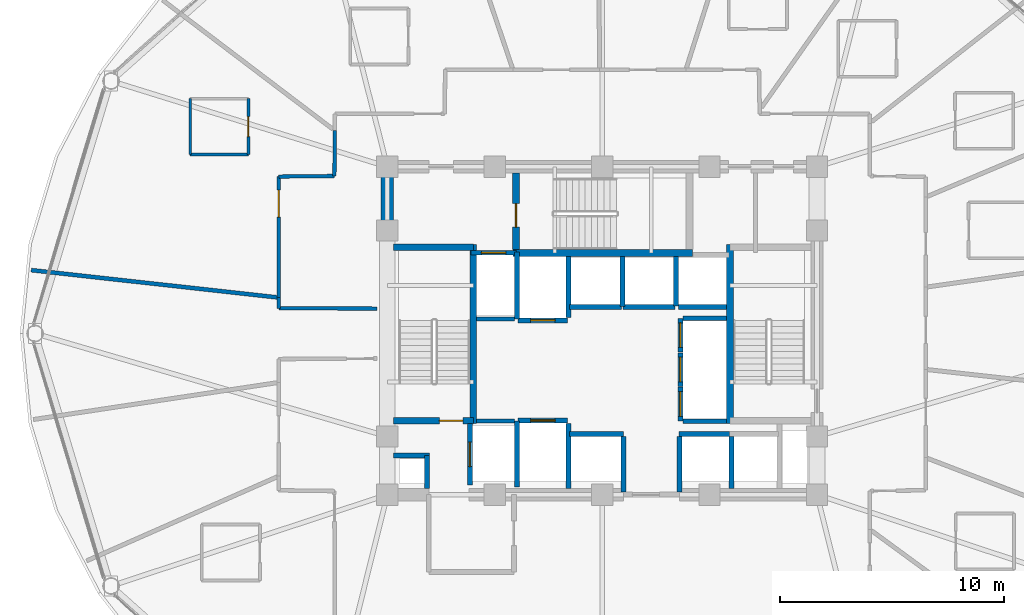
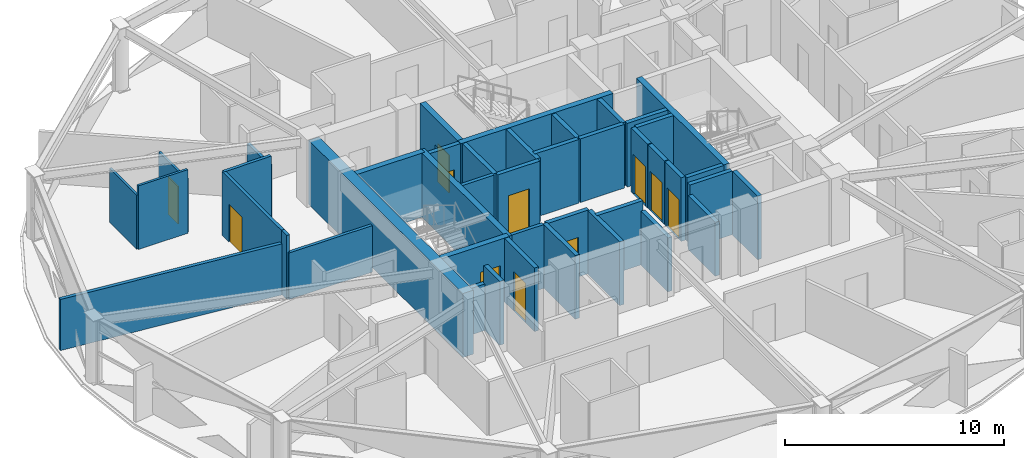
# One storey, part 24 of 31: 43 walls, 11 doors, 11 openings.
"""IFC4 building model written with IfcOpenShell, lengths in metres."""

from ifc_helpers import new_model, si_unit, direction, frame, frame_2d, origin, place, context, subcontext, project, spatial, rectangle, extrude, material, layer, layer_set, type_object, element, fill, save


model = new_model("IFC4")

# Units and contexts
model_context = context("Model", 3, precision=1e-05, world=origin(), true_north=direction((0.0, 1.0)))
body_context = subcontext(model_context, "Body", "Model", "MODEL_VIEW")
ifc_project = project(units=[si_unit("LENGTHUNIT", "METRE"), si_unit("AREAUNIT", "SQUARE_METRE"), si_unit("VOLUMEUNIT", "CUBIC_METRE"), si_unit("PLANEANGLEUNIT", "RADIAN"), si_unit("MASSUNIT", "GRAM", prefix="KILO")], contexts=[model_context])

# Site, building, storey
site_placement = place(None, origin())
site = spatial("IfcSite", under=ifc_project, at=site_placement, CompositionType="ELEMENT")
building_placement = place(site_placement, origin())
building = spatial("IfcBuilding", under=site, at=building_placement, Name="Vantalir Tower", CompositionType="ELEMENT")
storey_placement = place(building_placement, frame((0.0, 0.0, 123.449951171875)))
storey = spatial("IfcBuildingStorey", under=building, at=storey_placement, Name="L30", CompositionType="ELEMENT", Elevation=123.449951171875)

# Walls
ifc_material_1 = material(Name="Moisture-resistant en-suite partition", Category="gypsum")
ifc_layer_1 = layer(ifc_material_1, 0.125)
ifc_layer_set_1 = layer_set([ifc_layer_1], Name="Moisture-resistant en-suite partition")
wall_type_1 = type_object("IfcWallType", Name="WL-BATH-125", PredefinedType="PARTITIONING", material=ifc_layer_set_1)
wall_1_placement = place(storey_placement, frame((13.090087890625, 32.993896484375, 0.0), z_axis=(0.0, 0.0, 1.0), x_axis=(1.0, 0.0, 0.0)))
element("IfcWall", 1, at=wall_1_placement, inside=storey, type_object=wall_type_1, Name="L30 En-suite 08 South Wall", PredefinedType="PARTITIONING", context=body_context, shape_type="SweptSolid", body=[
    extrude(rectangle(XDim=2.599853515625, YDim=0.125, at=frame_2d((1.2998046875, 0.0))), origin(), (0.0, 0.0, 1.0), 3.550048828125),
])
wall_2_placement = place(storey_placement, frame((13.090087890625, 32.993896484375, 0.0), z_axis=(0.0, 0.0, 1.0), x_axis=(0.0, 1.0, 0.0)))
element("IfcWall", 2, at=wall_2_placement, inside=storey, type_object=wall_type_1, Name="L30 En-suite 08 West Wall", PredefinedType="PARTITIONING", context=body_context, shape_type="SweptSolid", body=[
    extrude(rectangle(XDim=2.5, YDim=0.125, at=frame_2d((1.25, 0.0))), origin(), (0.0, 0.0, 1.0), 3.006103515625),
])

# Wall, opening, door
wall_3_placement = place(storey_placement, frame((15.68994140625, 32.993896484375, 0.0), z_axis=(0.0, 0.0, 1.0), x_axis=(0.0, 1.0, 0.0)))
wall_3 = element("IfcWall", 3, at=wall_3_placement, inside=storey, type_object=wall_type_1, Name="L30 En-suite 08 East Wall", PredefinedType="PARTITIONING", context=body_context, shape_type="SweptSolid", body=[
    extrude(rectangle(XDim=2.5, YDim=0.125, at=frame_2d((1.25, 0.0))), origin(), (0.0, 0.0, 1.0), 3.006103515625),
])
opening_1_placement = place(wall_3_placement, frame((0.800048828125, 0.0, 0.0)))
opening_1 = element("IfcOpeningElement", 4, at=opening_1_placement, cuts=wall_3, Name="Opening D-WC", PredefinedType="OPENING", context=body_context, shape_type="SweptSolid", body=[
    extrude(rectangle(XDim=0.89990234375, YDim=2.10009765625, at=frame_2d((0.449951171875, 1.050048828125))), frame((0.0, 0.072509765625, 0.0), z_axis=(0.0, -1.0, 0.0), x_axis=(1.0, 0.0, 0.0)), (0.0, 0.0, 1.0), 0.14501953125),
])
ifc_material_2 = material(Name="Moisture-resistant hardwood door", Category="wood")
door_type_1 = type_object("IfcDoorType", Name="DR-ENSUITE-900", OperationType="NOTDEFINED", PredefinedType="DOOR", material=ifc_material_2)
door_1_placement = place(opening_1_placement, origin())
door_1 = element("IfcDoor", 5, at=door_1_placement, inside=storey, type_object=door_type_1, Name="L30 En-suite 08 Door", OperationType="SINGLE_SWING_LEFT", OverallHeight=2.10009765625, OverallWidth=0.89990234375, PredefinedType="DOOR", context=body_context, shape_type="SweptSolid", body=[
    extrude(rectangle(XDim=0.89990234375, YDim=2.10009765625, at=frame_2d((0.449951171875, 1.050048828125))), frame((0.0, 0.02490234375, 0.0), z_axis=(0.0, -1.0, 0.0), x_axis=(1.0, 0.0, 0.0)), (0.0, 0.0, 1.0), 0.050048828125),
])
fill(opening_1, door_1)

# Walls
ifc_material_3 = material(Name="Concrete C60/75", Category="concrete")
ifc_layer_2 = layer(ifc_material_3, 0.550048828125)
ifc_layer_set_2 = layer_set([ifc_layer_2], Name="Concrete C60/75")
wall_type_2 = type_object("IfcWallType", Name="WL-CORE-550", PredefinedType="SHEAR", material=ifc_layer_set_2)
wall_4_placement = place(storey_placement, frame((21.89990234375, 18.074951171875, 0.0), z_axis=(0.0, 0.0, 1.0), x_axis=(0.0, 1.0, 0.0)))
element("IfcWall", 6, at=wall_4_placement, inside=storey, type_object=wall_type_2, Name="L30 Core Shear Wall West", PredefinedType="SHEAR", context=body_context, shape_type="SweptSolid", body=[
    extrude(rectangle(XDim=14.10009765625, YDim=0.550048828125, at=frame_2d((7.050048828125, 0.0))), origin(), (0.0, 0.0, 1.0), 3.570068359375),
])
ifc_material_4 = material(Name="Fire-rated hotel corridor acoustic partition", Category="gypsum")
ifc_layer_3 = layer(ifc_material_4, 0.159912109375)
ifc_layer_set_3 = layer_set([ifc_layer_3], Name="Fire-rated hotel corridor acoustic partition")
wall_type_3 = type_object("IfcWallType", Name="WL-CORR-160", PredefinedType="PARTITIONING", material=ifc_layer_set_3)
wall_5_placement = place(storey_placement, frame((21.445068359375, 26.114990234375, 0.0), z_axis=(0.0, 0.0, 1.0), x_axis=(-0.999997401834, 0.002279544839, 0.0)))
element("IfcWall", 7, at=wall_5_placement, inside=storey, type_object=wall_type_3, Name="L30 Corridor Partition 01", PredefinedType="PARTITIONING", context=body_context, shape_type="SweptSolid", body=[
    extrude(rectangle(XDim=4.39111328125, YDim=0.159912109375, at=frame_2d((2.195556640625, 0.0))), origin(), (0.0, 0.0, 1.0), 2.594970703125),
])
wall_6_placement = place(storey_placement, frame((17.053955078125, 26.125, 0.0), z_axis=(0.0, 0.0, 1.0), x_axis=(-0.002038731747, 0.999997921784, 0.0)))
element("IfcWall", 8, at=wall_6_placement, inside=storey, type_object=wall_type_3, Name="L30 Corridor Partition 02", PredefinedType="PARTITIONING", context=body_context, shape_type="SweptSolid", body=[
    extrude(rectangle(XDim=0.47900390625, YDim=0.159912109375, at=frame_2d((0.239501953125, 0.0))), origin(), (0.0, 0.0, 1.0), 3.550048828125),
])

# Wall, opening, door
wall_7_placement = place(storey_placement, frame((17.052978515625, 26.60400390625, 0.0), z_axis=(0.0, 0.0, 1.0), x_axis=(-0.001083471894, 0.999999413044, 0.0)))
wall_7 = element("IfcWall", 9, at=wall_7_placement, inside=storey, type_object=wall_type_3, Name="L30 Corridor Partition 03", PredefinedType="PARTITIONING", context=body_context, shape_type="SweptSolid", body=[
    extrude(rectangle(XDim=5.407958984375, YDim=0.159912109375, at=frame_2d((2.7041015625, 0.0))), origin(), (0.0, 0.0, 1.0), 3.550048828125),
])
opening_2_placement = place(wall_7_placement, frame((3.59912109375, 0.0, 0.0)))
opening_2 = element("IfcOpeningElement", 10, at=opening_2_placement, cuts=wall_7, Name="Opening D-STE", PredefinedType="OPENING", context=body_context, shape_type="SweptSolid", body=[
    extrude(rectangle(XDim=1.199951171875, YDim=2.10009765625, at=frame_2d((0.60009765625, 1.050048828125))), frame((0.0, 0.08984375, 0.0), z_axis=(0.0, -1.0, 0.0), x_axis=(1.0, 0.0, 0.0)), (0.0, 0.0, 1.0), 0.179931640625),
])
ifc_material_5 = material(Name="Solid-core teak veneer suite entrance door", Category="wood")
door_type_2 = type_object("IfcDoorType", Name="DR-SUITE-ENTRY-1200", OperationType="NOTDEFINED", PredefinedType="DOOR", material=ifc_material_5)
door_2_placement = place(opening_2_placement, origin())
door_2 = element("IfcDoor", 11, at=door_2_placement, inside=storey, type_object=door_type_2, Name="L30 Corner Panorama Hotel Suite 08 Door", OperationType="SINGLE_SWING_LEFT", OverallHeight=2.10009765625, OverallWidth=1.199951171875, PredefinedType="DOOR", context=body_context, shape_type="SweptSolid", body=[
    extrude(rectangle(XDim=1.199951171875, YDim=2.10009765625, at=frame_2d((0.60009765625, 1.050048828125))), frame((0.0, 0.02490234375, 0.0), z_axis=(0.0, -1.0, 0.0), x_axis=(1.0, 0.0, 0.0)), (0.0, 0.0, 1.0), 0.050048828125),
])
fill(opening_2, door_2)

# Walls
wall_8_placement = place(storey_placement, frame((17.047119140625, 32.011962890625, 0.0), z_axis=(0.0, 0.0, 1.0), x_axis=(0.999936323991, 0.011284855472, 0.0)))
element("IfcWall", 12, at=wall_8_placement, inside=storey, type_object=wall_type_3, Name="L30 Corridor Partition 04", PredefinedType="PARTITIONING", context=body_context, shape_type="SweptSolid", body=[
    extrude(rectangle(XDim=2.488037109375, YDim=0.159912109375, at=frame_2d((1.244140625, 0.0))), origin(), (0.0, 0.0, 1.0), 3.550048828125),
])
wall_9_placement = place(storey_placement, frame((19.534912109375, 32.0400390625, 0.0), z_axis=(0.0, 0.0, 1.0), x_axis=(0.008934683203, 0.999960084921, 0.0)))
element("IfcWall", 13, at=wall_9_placement, inside=storey, type_object=wall_type_3, Name="L30 Corridor Partition 05", PredefinedType="PARTITIONING", context=body_context, shape_type="SweptSolid", body=[
    extrude(rectangle(XDim=2.02197265625, YDim=0.159912109375, at=frame_2d((1.010986328125, 0.0))), origin(), (0.0, 0.0, 1.0), 3.006103515625),
])
ifc_material_6 = material(Name="Concrete blockwork with fireboard lining", Category="masonry")
ifc_layer_4 = layer(ifc_material_6, 0.219970703125)
ifc_layer_set_4 = layer_set([ifc_layer_4], Name="Concrete blockwork with fireboard lining")
wall_type_4 = type_object("IfcWallType", Name="WL-FFL-220", PredefinedType="PARTITIONING", material=ifc_layer_set_4)
wall_10_placement = place(storey_placement, frame((30.0, 18.080078125, 0.0), z_axis=(0.0, 0.0, 1.0), x_axis=(0.0, 1.0, 0.0)))
element("IfcWall", 14, at=wall_10_placement, inside=storey, type_object=wall_type_4, Name="L30 Service Lift SV1 East Shaft Wall", PredefinedType="PARTITIONING", context=body_context, shape_type="SweptSolid", body=[
    extrude(rectangle(XDim=2.89990234375, YDim=0.219970703125, at=frame_2d((1.449951171875, 0.0))), origin(), (0.0, 0.0, 1.0), 3.545166015625),
])
for number, where, z_axis, x_axis, name in (
    (15, (32.449951171875, 17.919921875, 0.0), (0.0, 0.0, 1.0), (0.0, 1.0, 0.0), "L30 Shuttle Lift PL-X1 East Shaft Cheek"),
    (16, (34.949951171875, 17.919921875, 0.0), (0.0, 0.0, 1.0), (0.0, 1.0, 0.0), "L30 Shuttle Lift PL-X3 West Shaft Cheek"),
):
    element("IfcWall", number, at=place(storey_placement, frame(where, z_axis=z_axis, x_axis=x_axis)), inside=storey, type_object=wall_type_4, Name=name, PredefinedType="PARTITIONING", context=body_context, shape_type="SweptSolid", body=[
        extrude(rectangle(XDim=2.469970703125, YDim=0.219970703125, at=frame_2d((1.23486328125, 0.0))), origin(), (0.0, 0.0, 1.0), 3.006103515625),
    ])
wall_11_placement = place(storey_placement, frame((37.27490234375, 18.080078125, 0.0), z_axis=(0.0, 0.0, 1.0), x_axis=(0.0, 1.0, 0.0)))
element("IfcWall", 17, at=wall_11_placement, inside=storey, type_object=wall_type_4, Name="L30 Shuttle Lift PL-X2/X3 Shaft Divider", PredefinedType="PARTITIONING", context=body_context, shape_type="SweptSolid", body=[
    extrude(rectangle(XDim=2.309814453125, YDim=0.219970703125, at=frame_2d((1.15478515625, 0.0))), origin(), (0.0, 0.0, 1.0), 3.545166015625),
])
wall_12_placement = place(storey_placement, frame((30.0, 25.7099609375, 0.0), z_axis=(0.0, 0.0, 1.0), x_axis=(0.0, 1.0, 0.0)))
element("IfcWall", 18, at=wall_12_placement, inside=storey, type_object=wall_type_4, Name="L30 Service Lift SV2 East Shaft Wall", PredefinedType="PARTITIONING", context=body_context, shape_type="SweptSolid", body=[
    extrude(rectangle(XDim=2.72998046875, YDim=0.219970703125, at=frame_2d((1.364990234375, 0.0))), origin(), (0.0, 0.0, 1.0), 3.545166015625),
])
wall_13_placement = place(storey_placement, frame((32.39990234375, 26.199951171875, 0.0), z_axis=(0.0, 0.0, 1.0), x_axis=(0.0, 1.0, 0.0)))
element("IfcWall", 19, at=wall_13_placement, inside=storey, type_object=wall_type_4, Name="L30 High-Rise Lift PL-H1/H2 Shaft Divider", PredefinedType="PARTITIONING", context=body_context, shape_type="SweptSolid", body=[
    extrude(rectangle(XDim=2.239990234375, YDim=0.219970703125, at=frame_2d((1.1201171875, 0.0))), origin(), (0.0, 0.0, 1.0), 3.545166015625),
])
wall_14_placement = place(storey_placement, frame((34.800048828125, 26.22998046875, 0.0), z_axis=(0.0, 0.0, 1.0), x_axis=(0.0, 1.0, 0.0)))
element("IfcWall", 20, at=wall_14_placement, inside=storey, type_object=wall_type_4, Name="L30 High-Rise Lift PL-H2/H3 Shaft Divider", PredefinedType="PARTITIONING", context=body_context, shape_type="SweptSolid", body=[
    extrude(rectangle(XDim=2.2099609375, YDim=0.219970703125, at=frame_2d((1.10498046875, 0.0))), origin(), (0.0, 0.0, 1.0), 3.545166015625),
])
wall_15_placement = place(storey_placement, frame((34.909912109375, 26.18994140625, 0.0), z_axis=(0.0, 0.0, 1.0), x_axis=(1.0, 0.0, 0.0)))
element("IfcWall", 21, at=wall_15_placement, inside=storey, type_object=wall_type_4, Name="L30 High-Rise Lift PL-H3 Rear Shaft Wall", PredefinedType="PARTITIONING", context=body_context, shape_type="SweptSolid", body=[
    extrude(rectangle(XDim=2.14013671875, YDim=0.219970703125, at=frame_2d((1.070068359375, 0.0))), origin(), (0.0, 0.0, 1.0), 3.545166015625),
])
wall_16_placement = place(storey_placement, frame((23.679931640625, 18.074951171875, 0.0), z_axis=(0.0, 0.0, 1.0), x_axis=(0.0, 1.0, 0.0)))
element("IfcWall", 22, at=wall_16_placement, inside=storey, type_object=wall_type_4, Name="L30 West MEP Riser Wall E", PredefinedType="PARTITIONING", context=body_context, shape_type="SweptSolid", body=[
    extrude(rectangle(XDim=1.47509765625, YDim=0.219970703125, at=frame_2d((0.737548828125, 0.0))), origin(), (0.0, 0.0, 1.0), 3.550048828125),
])
wall_17_placement = place(storey_placement, frame((22.175048828125, 19.550048828125, 0.0), z_axis=(0.0, 0.0, 1.0), x_axis=(1.0, 0.0, 0.0)))
element("IfcWall", 23, at=wall_17_placement, inside=storey, type_object=wall_type_4, Name="L30 West MEP Riser Wall N", PredefinedType="PARTITIONING", context=body_context, shape_type="SweptSolid", body=[
    extrude(rectangle(XDim=1.614990234375, YDim=0.219970703125, at=frame_2d((0.8076171875, 0.0))), origin(), (0.0, 0.0, 1.0), 2.594970703125),
])

# Wall, opening, door
wall_18_placement = place(storey_placement, frame((25.590087890625, 18.219970703125, 0.0), z_axis=(0.0, 0.0, 1.0), x_axis=(0.0, 1.0, 0.0)))
wall_18 = element("IfcWall", 24, at=wall_18_placement, inside=storey, type_object=wall_type_4, Name="L30 Lift FL1 Shaft Front Wall", PredefinedType="PARTITIONING", context=body_context, shape_type="SweptSolid", body=[
    extrude(rectangle(XDim=2.760009765625, YDim=0.219970703125, at=frame_2d((1.3798828125, 0.0))), origin(), (0.0, 0.0, 1.0), 3.550048828125),
])
opening_3_placement = place(wall_18_placement, frame((0.830078125, 0.0, 0.0)))
opening_3 = element("IfcOpeningElement", 25, at=opening_3_placement, cuts=wall_18, Name="Opening LD-FL1", PredefinedType="OPENING", context=body_context, shape_type="SweptSolid", body=[
    extrude(rectangle(XDim=1.10009765625, YDim=2.199951171875, at=frame_2d((0.550048828125, 1.10009765625))), frame((0.0, 0.119873046875, 0.0), z_axis=(0.0, -1.0, 0.0), x_axis=(1.0, 0.0, 0.0)), (0.0, 0.0, 1.0), 0.239990234375),
])
ifc_material_7 = material(Name="Brushed stainless-steel sliding lift landing door", Category="steel")
door_type_3 = type_object("IfcDoorType", Name="DR-LIFT-LANDING-1100", OperationType="DOUBLE_DOOR_SLIDING", PredefinedType="DOOR", material=ifc_material_7)
door_3_placement = place(opening_3_placement, origin())
door_3 = element("IfcDoor", 26, at=door_3_placement, inside=storey, type_object=door_type_3, Name="L30 Lift Landing Door FL1", OperationType="DOUBLE_DOOR_SLIDING", OverallHeight=2.199951171875, OverallWidth=1.10009765625, PredefinedType="DOOR", context=body_context, shape_type="SweptSolid", body=[
    extrude(rectangle(XDim=1.10009765625, YDim=2.199951171875, at=frame_2d((0.550048828125, 1.10009765625))), frame((0.0, 0.02490234375, 0.0), z_axis=(0.0, -1.0, 0.0), x_axis=(1.0, 0.0, 0.0)), (0.0, 0.0, 1.0), 0.050048828125),
])
fill(opening_3, door_3)

wall_19_placement = place(storey_placement, frame((25.639892578125, 28.610107421875, 0.0), z_axis=(0.0, 0.0, 1.0), x_axis=(1.0, 0.0, 0.0)))
wall_19 = element("IfcWall", 27, at=wall_19_placement, inside=storey, type_object=wall_type_4, Name="L30 Lift FL2 Shaft Front Wall", PredefinedType="PARTITIONING", context=body_context, shape_type="SweptSolid", body=[
    extrude(rectangle(XDim=2.02001953125, YDim=0.219970703125, at=frame_2d((1.010009765625, 0.0))), origin(), (0.0, 0.0, 1.0), 3.550048828125),
])
opening_4_placement = place(wall_19_placement, frame((0.4599609375, 0.0, 0.0)))
opening_4 = element("IfcOpeningElement", 28, at=opening_4_placement, cuts=wall_19, Name="Opening LD-FL2", PredefinedType="OPENING", context=body_context, shape_type="SweptSolid", body=[
    extrude(rectangle(XDim=1.10009765625, YDim=2.199951171875, at=frame_2d((0.550048828125, 1.10009765625))), frame((0.0, 0.119873046875, 0.0), z_axis=(0.0, -1.0, 0.0), x_axis=(1.0, 0.0, 0.0)), (0.0, 0.0, 1.0), 0.239990234375),
])
door_4_placement = place(opening_4_placement, origin())
door_4 = element("IfcDoor", 29, at=door_4_placement, inside=storey, type_object=door_type_3, Name="L30 Lift Landing Door FL2", OperationType="DOUBLE_DOOR_SLIDING", OverallHeight=2.199951171875, OverallWidth=1.10009765625, PredefinedType="DOOR", context=body_context, shape_type="SweptSolid", body=[
    extrude(rectangle(XDim=1.10009765625, YDim=2.199951171875, at=frame_2d((0.550048828125, 1.10009765625))), frame((0.0, 0.02490234375, 0.0), z_axis=(0.0, -1.0, 0.0), x_axis=(1.0, 0.0, 0.0)), (0.0, 0.0, 1.0), 0.050048828125),
])
fill(opening_4, door_4)

wall_20_placement = place(storey_placement, frame((27.739990234375, 21.110107421875, 0.0), z_axis=(0.0, 0.0, 1.0), x_axis=(1.0, 0.0, 0.0)))
wall_20 = element("IfcWall", 30, at=wall_20_placement, inside=storey, type_object=wall_type_4, Name="L30 Lift SV1 Shaft Front Wall", PredefinedType="PARTITIONING", context=body_context, shape_type="SweptSolid", body=[
    extrude(rectangle(XDim=2.219970703125, YDim=0.219970703125, at=frame_2d((1.10986328125, 0.0))), origin(), (0.0, 0.0, 1.0), 3.550048828125),
])
opening_5_placement = place(wall_20_placement, frame((0.56005859375, 0.0, 0.0)))
opening_5 = element("IfcOpeningElement", 31, at=opening_5_placement, cuts=wall_20, Name="Opening LD-SV1", PredefinedType="OPENING", context=body_context, shape_type="SweptSolid", body=[
    extrude(rectangle(XDim=1.10009765625, YDim=2.199951171875, at=frame_2d((0.550048828125, 1.10009765625))), frame((0.0, 0.119873046875, 0.0), z_axis=(0.0, -1.0, 0.0), x_axis=(1.0, 0.0, 0.0)), (0.0, 0.0, 1.0), 0.239990234375),
])
door_5_placement = place(opening_5_placement, origin())
door_5 = element("IfcDoor", 32, at=door_5_placement, inside=storey, type_object=door_type_3, Name="L30 Lift Landing Door SV1", OperationType="DOUBLE_DOOR_SLIDING", OverallHeight=2.199951171875, OverallWidth=1.10009765625, PredefinedType="DOOR", context=body_context, shape_type="SweptSolid", body=[
    extrude(rectangle(XDim=1.10009765625, YDim=2.199951171875, at=frame_2d((0.550048828125, 1.10009765625))), frame((0.0, 0.02490234375, 0.0), z_axis=(0.0, -1.0, 0.0), x_axis=(1.0, 0.0, 0.0)), (0.0, 0.0, 1.0), 0.050048828125),
])
fill(opening_5, door_5)

wall_21_placement = place(storey_placement, frame((27.739990234375, 25.590087890625, 0.0), z_axis=(0.0, 0.0, 1.0), x_axis=(1.0, 0.0, 0.0)))
wall_21 = element("IfcWall", 33, at=wall_21_placement, inside=storey, type_object=wall_type_4, Name="L30 Lift SV2 Shaft Front Wall", PredefinedType="PARTITIONING", context=body_context, shape_type="SweptSolid", body=[
    extrude(rectangle(XDim=2.219970703125, YDim=0.219970703125, at=frame_2d((1.10986328125, 0.0))), origin(), (0.0, 0.0, 1.0), 3.550048828125),
])
opening_6_placement = place(wall_21_placement, frame((0.56005859375, 0.0, 0.0)))
opening_6 = element("IfcOpeningElement", 34, at=opening_6_placement, cuts=wall_21, Name="Opening LD-SV2", PredefinedType="OPENING", context=body_context, shape_type="SweptSolid", body=[
    extrude(rectangle(XDim=1.10009765625, YDim=2.199951171875, at=frame_2d((0.550048828125, 1.10009765625))), frame((0.0, 0.119873046875, 0.0), z_axis=(0.0, -1.0, 0.0), x_axis=(1.0, 0.0, 0.0)), (0.0, 0.0, 1.0), 0.239990234375),
])
door_6_placement = place(opening_6_placement, frame((1.10009765625, 0.0, 0.0), z_axis=(0.0, 0.0, 1.0), x_axis=(-1.0, 0.0, 0.0)))
door_6 = element("IfcDoor", 35, at=door_6_placement, inside=storey, type_object=door_type_3, Name="L30 Lift Landing Door SV2", OperationType="DOUBLE_DOOR_SLIDING", OverallHeight=2.199951171875, OverallWidth=1.10009765625, PredefinedType="DOOR", context=body_context, shape_type="SweptSolid", body=[
    extrude(rectangle(XDim=1.10009765625, YDim=2.199951171875, at=frame_2d((0.550048828125, 1.10009765625))), frame((0.0, 0.02490234375, 0.0), z_axis=(0.0, -1.0, 0.0), x_axis=(1.0, 0.0, 0.0)), (0.0, 0.0, 1.0), 0.050048828125),
])
fill(opening_6, door_6)

# Walls
wall_22_placement = place(storey_placement, frame((30.0400390625, 20.510009765625, 0.0), z_axis=(0.0, 0.0, 1.0), x_axis=(1.0, 0.0, 0.0)))
element("IfcWall", 36, at=wall_22_placement, inside=storey, type_object=wall_type_4, Name="L30 Lift PL-X1 Shaft Front Wall", PredefinedType="PARTITIONING", context=body_context, shape_type="SweptSolid", body=[
    extrude(rectangle(XDim=2.419921875, YDim=0.219970703125, at=frame_2d((1.2099609375, 0.0))), origin(), (0.0, 0.0, 1.0), 3.550048828125),
])
wall_23_placement = place(storey_placement, frame((34.93994140625, 20.510009765625, 0.0), z_axis=(0.0, 0.0, 1.0), x_axis=(1.0, 0.0, 0.0)))
element("IfcWall", 37, at=wall_23_placement, inside=storey, type_object=wall_type_4, Name="L30 Lift PL-X3 Shaft Front Wall", PredefinedType="PARTITIONING", context=body_context, shape_type="SweptSolid", body=[
    extrude(rectangle(XDim=2.239990234375, YDim=0.219970703125, at=frame_2d((1.1201171875, 0.0))), origin(), (0.0, 0.0, 1.0), 3.550048828125),
])
for number, where, z_axis, x_axis, name in (
    (38, (30.0400390625, 26.18994140625, 0.0), (0.0, 0.0, 1.0), (1.0, 0.0, 0.0), "L30 Lift PL-H1 Shaft Front Wall"),
    (39, (32.43994140625, 26.18994140625, 0.0), (0.0, 0.0, 1.0), (1.0, 0.0, 0.0), "L30 Lift PL-H2 Shaft Front Wall"),
):
    element("IfcWall", number, at=place(storey_placement, frame(where, z_axis=z_axis, x_axis=x_axis)), inside=storey, type_object=wall_type_4, Name=name, PredefinedType="PARTITIONING", context=body_context, shape_type="SweptSolid", body=[
        extrude(rectangle(XDim=2.320068359375, YDim=0.219970703125, at=frame_2d((1.16015625, 0.0))), origin(), (0.0, 0.0, 1.0), 3.550048828125),
    ])

# Wall, opening, door
wall_24_placement = place(storey_placement, frame((34.989990234375, 21.10009765625, 0.0), z_axis=(0.0, 0.0, 1.0), x_axis=(0.0, 1.0, 0.0)))
wall_24 = element("IfcWall", 40, at=wall_24_placement, inside=storey, type_object=wall_type_4, Name="L30 Lift PL-M1 Shaft Front Wall", PredefinedType="PARTITIONING", context=body_context, shape_type="SweptSolid", body=[
    extrude(rectangle(XDim=1.5, YDim=0.219970703125, at=frame_2d((0.75, 0.0))), origin(), (0.0, 0.0, 1.0), 3.550048828125),
])
opening_7_placement = place(wall_24_placement, frame((0.199951171875, 0.0, 0.0)))
opening_7 = element("IfcOpeningElement", 41, at=opening_7_placement, cuts=wall_24, Name="Opening LD-PL-M1", PredefinedType="OPENING", context=body_context, shape_type="SweptSolid", body=[
    extrude(rectangle(XDim=1.10009765625, YDim=2.199951171875, at=frame_2d((0.550048828125, 1.10009765625))), frame((0.0, 0.119873046875, 0.0), z_axis=(0.0, -1.0, 0.0), x_axis=(1.0, 0.0, 0.0)), (0.0, 0.0, 1.0), 0.239990234375),
])
door_7_placement = place(opening_7_placement, origin())
door_7 = element("IfcDoor", 42, at=door_7_placement, inside=storey, type_object=door_type_3, Name="L30 Lift Landing Door PL-M1", OperationType="DOUBLE_DOOR_SLIDING", OverallHeight=2.199951171875, OverallWidth=1.10009765625, PredefinedType="DOOR", context=body_context, shape_type="SweptSolid", body=[
    extrude(rectangle(XDim=1.10009765625, YDim=2.199951171875, at=frame_2d((0.550048828125, 1.10009765625))), frame((0.0, 0.02490234375, 0.0), z_axis=(0.0, -1.0, 0.0), x_axis=(1.0, 0.0, 0.0)), (0.0, 0.0, 1.0), 0.050048828125),
])
fill(opening_7, door_7)

wall_25_placement = place(storey_placement, frame((34.989990234375, 22.639892578125, 0.0), z_axis=(0.0, 0.0, 1.0), x_axis=(0.0, 1.0, 0.0)))
wall_25 = element("IfcWall", 43, at=wall_25_placement, inside=storey, type_object=wall_type_4, Name="L30 Lift PL-M2 Shaft Front Wall", PredefinedType="PARTITIONING", context=body_context, shape_type="SweptSolid", body=[
    extrude(rectangle(XDim=1.5, YDim=0.219970703125, at=frame_2d((0.75, 0.0))), origin(), (0.0, 0.0, 1.0), 3.550048828125),
])
opening_8_placement = place(wall_25_placement, frame((0.199951171875, 0.0, 0.0)))
opening_8 = element("IfcOpeningElement", 44, at=opening_8_placement, cuts=wall_25, Name="Opening LD-PL-M2", PredefinedType="OPENING", context=body_context, shape_type="SweptSolid", body=[
    extrude(rectangle(XDim=1.10009765625, YDim=2.199951171875, at=frame_2d((0.550048828125, 1.10009765625))), frame((0.0, 0.119873046875, 0.0), z_axis=(0.0, -1.0, 0.0), x_axis=(1.0, 0.0, 0.0)), (0.0, 0.0, 1.0), 0.239990234375),
])
door_8_placement = place(opening_8_placement, origin())
door_8 = element("IfcDoor", 45, at=door_8_placement, inside=storey, type_object=door_type_3, Name="L30 Lift Landing Door PL-M2", OperationType="DOUBLE_DOOR_SLIDING", OverallHeight=2.199951171875, OverallWidth=1.10009765625, PredefinedType="DOOR", context=body_context, shape_type="SweptSolid", body=[
    extrude(rectangle(XDim=1.10009765625, YDim=2.199951171875, at=frame_2d((0.550048828125, 1.10009765625))), frame((0.0, 0.02490234375, 0.0), z_axis=(0.0, -1.0, 0.0), x_axis=(1.0, 0.0, 0.0)), (0.0, 0.0, 1.0), 0.050048828125),
])
fill(opening_8, door_8)

wall_26_placement = place(storey_placement, frame((34.989990234375, 24.179931640625, 0.0), z_axis=(0.0, 0.0, 1.0), x_axis=(0.0, 1.0, 0.0)))
wall_26 = element("IfcWall", 46, at=wall_26_placement, inside=storey, type_object=wall_type_4, Name="L30 Lift PL-M3 Shaft Front Wall", PredefinedType="PARTITIONING", context=body_context, shape_type="SweptSolid", body=[
    extrude(rectangle(XDim=1.5, YDim=0.219970703125, at=frame_2d((0.75, 0.0))), origin(), (0.0, 0.0, 1.0), 3.550048828125),
])
opening_9_placement = place(wall_26_placement, frame((0.199951171875, 0.0, 0.0)))
opening_9 = element("IfcOpeningElement", 47, at=opening_9_placement, cuts=wall_26, Name="Opening LD-PL-M3", PredefinedType="OPENING", context=body_context, shape_type="SweptSolid", body=[
    extrude(rectangle(XDim=1.10009765625, YDim=2.199951171875, at=frame_2d((0.550048828125, 1.10009765625))), frame((0.0, 0.119873046875, 0.0), z_axis=(0.0, -1.0, 0.0), x_axis=(1.0, 0.0, 0.0)), (0.0, 0.0, 1.0), 0.239990234375),
])
door_9_placement = place(opening_9_placement, origin())
door_9 = element("IfcDoor", 48, at=door_9_placement, inside=storey, type_object=door_type_3, Name="L30 Lift Landing Door PL-M3", OperationType="DOUBLE_DOOR_SLIDING", OverallHeight=2.199951171875, OverallWidth=1.10009765625, PredefinedType="DOOR", context=body_context, shape_type="SweptSolid", body=[
    extrude(rectangle(XDim=1.10009765625, YDim=2.199951171875, at=frame_2d((0.550048828125, 1.10009765625))), frame((0.0, 0.02490234375, 0.0), z_axis=(0.0, -1.0, 0.0), x_axis=(1.0, 0.0, 0.0)), (0.0, 0.0, 1.0), 0.050048828125),
])
fill(opening_9, door_9)

# Walls
wall_27_placement = place(storey_placement, frame((27.699951171875, 18.14990234375, 0.0), z_axis=(0.0, 0.0, 1.0), x_axis=(0.0, 1.0, 0.0)))
element("IfcWall", 49, at=wall_27_placement, inside=storey, type_object=wall_type_4, Name="L30 Fire Lift FL1 Dividing Wall", PredefinedType="PARTITIONING", context=body_context, shape_type="SweptSolid", body=[
    extrude(rectangle(XDim=2.9501953125, YDim=0.219970703125, at=frame_2d((1.47509765625, 0.0))), origin(), (0.0, 0.0, 1.0), 3.550048828125),
])
wall_28_placement = place(storey_placement, frame((27.699951171875, 25.64990234375, 0.0), z_axis=(0.0, 0.0, 1.0), x_axis=(0.0, 1.0, 0.0)))
element("IfcWall", 50, at=wall_28_placement, inside=storey, type_object=wall_type_4, Name="L30 Fire Lift FL2 Dividing Wall", PredefinedType="PARTITIONING", context=body_context, shape_type="SweptSolid", body=[
    extrude(rectangle(XDim=3.0, YDim=0.219970703125, at=frame_2d((1.5, 0.0))), origin(), (0.0, 0.0, 1.0), 3.550048828125),
])
for number, where, z_axis, x_axis, name in (
    (51, (35.1201171875, 21.080078125, 0.0), (0.0, 0.0, 1.0), (1.0, 0.0, 0.0), "L30 Mid-Rise Bank South Wall"),
    (52, (35.1201171875, 25.679931640625, 0.0), (0.0, 0.0, 1.0), (1.0, 0.0, 0.0), "L30 Mid-Rise Bank North Wall"),
):
    element("IfcWall", number, at=place(storey_placement, frame(where, z_axis=z_axis, x_axis=x_axis)), inside=storey, type_object=wall_type_4, Name=name, PredefinedType="PARTITIONING", context=body_context, shape_type="SweptSolid", body=[
        extrude(rectangle(XDim=1.93994140625, YDim=0.219970703125, at=frame_2d((0.969970703125, 0.0))), origin(), (0.0, 0.0, 1.0), 3.550048828125),
    ])
ifc_material_8 = material(Name="Twin-stud acoustic fire-rated gypsum partition", Category="gypsum")
ifc_layer_5 = layer(ifc_material_8, 0.179931640625)
ifc_layer_set_5 = layer_set([ifc_layer_5], Name="Twin-stud acoustic fire-rated gypsum partition")
wall_type_5 = type_object("IfcWallType", Name="WL-GUEST-180", PredefinedType="PARTITIONING", material=ifc_layer_set_5)
for number, where, z_axis, x_axis, name in (
    (53, (25.889892578125, 21.10009765625, 0.0), (0.0, 0.0, 1.0), (1.0, 0.0, 0.0), "L30 Freed West Core South Wall"),
    (54, (25.889892578125, 25.64990234375, 0.0), (0.0, 0.0, 1.0), (1.0, 0.0, 0.0), "L30 Freed West Core North Wall"),
):
    element("IfcWall", number, at=place(storey_placement, frame(where, z_axis=z_axis, x_axis=x_axis)), inside=storey, type_object=wall_type_5, Name=name, PredefinedType="PARTITIONING", context=body_context, shape_type="SweptSolid", body=[
        extrude(rectangle(XDim=1.7001953125, YDim=0.179931640625, at=frame_2d((0.85009765625, 0.0))), origin(), (0.0, 0.0, 1.0), 3.550048828125),
    ])
wall_29_placement = place(storey_placement, frame((16.969970703125, 26.613037109375, 0.0), z_axis=(0.0, 0.0, 1.0), x_axis=(-0.993895854214, 0.110322395627, 0.0)))
element("IfcWall", 55, at=wall_29_placement, inside=storey, type_object=wall_type_5, Name="L30 Radial Suite Partition 09", PredefinedType="PARTITIONING", context=body_context, shape_type="SweptSolid", body=[
    extrude(rectangle(XDim=11.04931640625, YDim=0.179931640625, at=frame_2d((5.524658203125, 0.0))), origin(), (0.0, 0.0, 1.0), 2.85107421875),
])

# Wall, opening, door
ifc_material_9 = material(Name="Concrete C50/60", Category="concrete")
ifc_layer_6 = layer(ifc_material_9, 0.300048828125)
ifc_layer_set_6 = layer_set([ifc_layer_6], Name="Concrete C50/60")
wall_type_6 = type_object("IfcWallType", Name="WL-STAIR-300", PredefinedType="SHEAR", material=ifc_layer_set_6)
wall_30_placement = place(storey_placement, frame((22.175048828125, 21.10009765625, 0.0), z_axis=(0.0, 0.0, 1.0), x_axis=(1.0, 0.0, 0.0)))
wall_30 = element("IfcWall", 56, at=wall_30_placement, inside=storey, type_object=wall_type_6, Name="L30 Stair ST1 South Wall", PredefinedType="SHEAR", context=body_context, shape_type="SweptSolid", body=[
    extrude(rectangle(XDim=3.56494140625, YDim=0.300048828125, at=frame_2d((1.782470703125, 0.0))), origin(), (0.0, 0.0, 1.0), 3.570068359375),
])
opening_10_placement = place(wall_30_placement, frame((2.044921875, 0.0, 0.0)))
opening_10 = element("IfcOpeningElement", 57, at=opening_10_placement, cuts=wall_30, Name="Opening D-ST", PredefinedType="OPENING", context=body_context, shape_type="SweptSolid", body=[
    extrude(rectangle(XDim=1.050048828125, YDim=2.10009765625, at=frame_2d((0.52490234375, 1.050048828125))), frame((0.0, 0.159912109375, 0.0), z_axis=(0.0, -1.0, 0.0), x_axis=(1.0, 0.0, 0.0)), (0.0, 0.0, 1.0), 0.320068359375),
])
ifc_material_10 = material(Name="Fire-rated steel door leaf", Category="steel")
door_type_4 = type_object("IfcDoorType", Name="DR-FIRE-STAIR-1050", OperationType="NOTDEFINED", PredefinedType="DOOR", material=ifc_material_10)
door_10_placement = place(opening_10_placement, origin())
door_10 = element("IfcDoor", 58, at=door_10_placement, inside=storey, type_object=door_type_4, Name="L30 Exit Stair ST1 Fire Door", OperationType="SINGLE_SWING_LEFT", OverallHeight=2.10009765625, OverallWidth=1.050048828125, PredefinedType="DOOR", context=body_context, shape_type="SweptSolid", body=[
    extrude(rectangle(XDim=1.050048828125, YDim=2.10009765625, at=frame_2d((0.52490234375, 1.050048828125))), frame((0.0, 0.02490234375, 0.0), z_axis=(0.0, -1.0, 0.0), x_axis=(1.0, 0.0, 0.0)), (0.0, 0.0, 1.0), 0.050048828125),
])
fill(opening_10, door_10)

# Walls
wall_31_placement = place(storey_placement, frame((22.175048828125, 28.85009765625, 0.0), z_axis=(0.0, 0.0, 1.0), x_axis=(1.0, 0.0, 0.0)))
element("IfcWall", 59, at=wall_31_placement, inside=storey, type_object=wall_type_6, Name="L30 Stair ST1 North Wall", PredefinedType="SHEAR", context=body_context, shape_type="SweptSolid", body=[
    extrude(rectangle(XDim=3.56494140625, YDim=0.300048828125, at=frame_2d((1.782470703125, 0.0))), origin(), (0.0, 0.0, 1.0), 3.570068359375),
])
for number, where, z_axis, x_axis, name in (
    (60, (25.739990234375, 20.97998046875, 0.0), (0.0, 0.0, 1.0), (0.0, 1.0, 0.0), "L30 Stair ST1 East Wall"),
    (61, (37.2099609375, 20.97998046875, 0.0), (0.0, 0.0, 1.0), (0.0, 1.0, 0.0), "L30 Stair ST2 West Wall"),
):
    element("IfcWall", number, at=place(storey_placement, frame(where, z_axis=z_axis, x_axis=x_axis)), inside=storey, type_object=wall_type_6, Name=name, PredefinedType="SHEAR", context=body_context, shape_type="SweptSolid", body=[
        extrude(rectangle(XDim=7.989990234375, YDim=0.300048828125, at=frame_2d((3.9951171875, 0.0))), origin(), (0.0, 0.0, 1.0), 3.570068359375),
    ])
wall_32_placement = place(storey_placement, frame((27.510009765625, 28.60009765625, 0.0), z_axis=(0.0, 0.0, 1.0), x_axis=(1.0, 0.0, 0.0)))
element("IfcWall", 62, at=wall_32_placement, inside=storey, type_object=wall_type_6, Name="L30 Stair ST3 South Wall", PredefinedType="SHEAR", context=body_context, shape_type="SweptSolid", body=[
    extrude(rectangle(XDim=8.030029296875, YDim=0.300048828125, at=frame_2d((4.01513671875, 0.0))), origin(), (0.0, 0.0, 1.0), 3.570068359375),
])

# Wall, opening, door
wall_33_placement = place(storey_placement, frame((27.64990234375, 28.75, 0.0), z_axis=(0.0, 0.0, 1.0), x_axis=(0.0, 1.0, 0.0)))
wall_33 = element("IfcWall", 63, at=wall_33_placement, inside=storey, type_object=wall_type_6, Name="L30 Stair ST3 West Wall", PredefinedType="SHEAR", context=body_context, shape_type="SweptSolid", body=[
    extrude(rectangle(XDim=3.425048828125, YDim=0.300048828125, at=frame_2d((1.71240234375, 0.0))), origin(), (0.0, 0.0, 1.0), 3.570068359375),
])
opening_11_placement = place(wall_33_placement, frame((1.0, 0.0, 0.0)))
opening_11 = element("IfcOpeningElement", 64, at=opening_11_placement, cuts=wall_33, Name="Opening D-ST", PredefinedType="OPENING", context=body_context, shape_type="SweptSolid", body=[
    extrude(rectangle(XDim=1.050048828125, YDim=2.10009765625, at=frame_2d((0.52490234375, 1.050048828125))), frame((0.0, 0.159912109375, 0.0), z_axis=(0.0, -1.0, 0.0), x_axis=(1.0, 0.0, 0.0)), (0.0, 0.0, 1.0), 0.320068359375),
])
door_11_placement = place(opening_11_placement, frame((1.050048828125, 0.0, 0.0), z_axis=(0.0, 0.0, 1.0), x_axis=(-1.0, 0.0, 0.0)))
door_11 = element("IfcDoor", 65, at=door_11_placement, inside=storey, type_object=door_type_4, Name="L30 Exit Stair ST3 Fire Door", OperationType="SINGLE_SWING_LEFT", OverallHeight=2.10009765625, OverallWidth=1.050048828125, PredefinedType="DOOR", context=body_context, shape_type="SweptSolid", body=[
    extrude(rectangle(XDim=1.050048828125, YDim=2.10009765625, at=frame_2d((0.52490234375, 1.050048828125))), frame((0.0, 0.02490234375, 0.0), z_axis=(0.0, -1.0, 0.0), x_axis=(1.0, 0.0, 0.0)), (0.0, 0.0, 1.0), 0.050048828125),
])
fill(opening_11, door_11)

save(model, "model.ifc")
